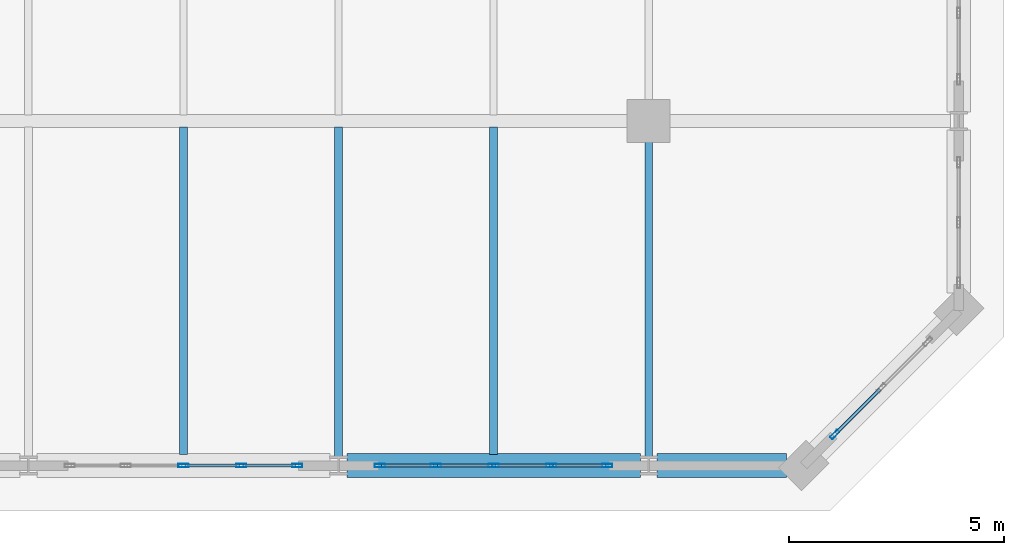
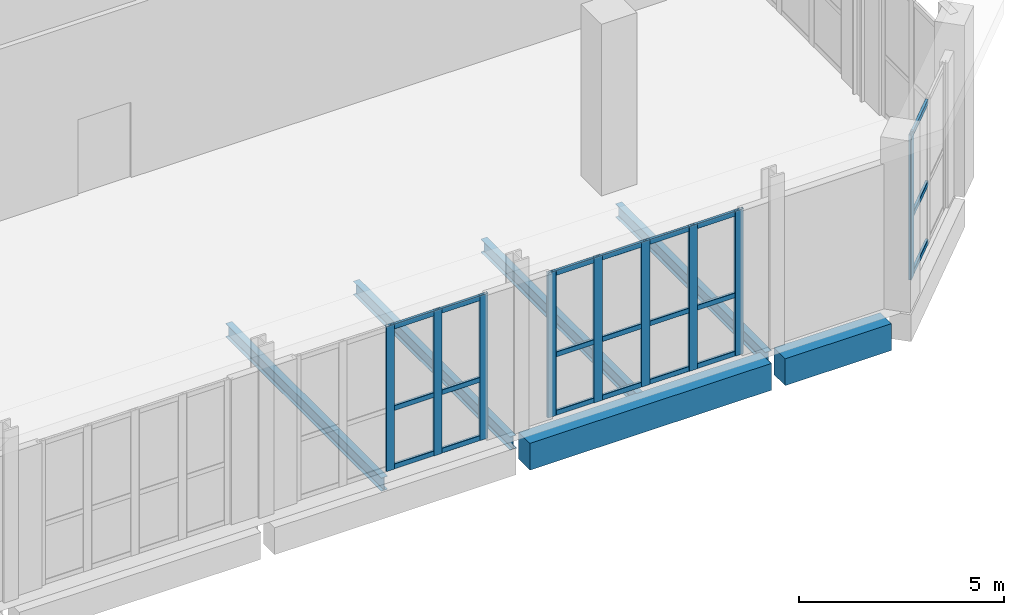
# One storey, part 10 of 26: 30 members, 6 beams, 3 elements without a shape of their own.
"""IFC4 building model written with IfcOpenShell, lengths in metres."""

from ifc_helpers import new_model, si_unit, direction, frame, origin, origin_2d, place, context, subcontext, project, spatial, rectangle, hollow_rectangle, i_section, extrude, material, layer, layer_set, material_profile, profile_set, type_object, element, aggregate, save


model = new_model("IFC4")

# Units and contexts
model_context = context("Model", 3, precision=1e-05, world=origin(), true_north=direction((0.0, 1.0)))
body_context = subcontext(model_context, "Body", "Model", "MODEL_VIEW")
ifc_project = project(units=[si_unit("LENGTHUNIT", "METRE"), si_unit("AREAUNIT", "SQUARE_METRE"), si_unit("VOLUMEUNIT", "CUBIC_METRE"), si_unit("PLANEANGLEUNIT", "RADIAN"), si_unit("MASSUNIT", "GRAM", prefix="KILO")], contexts=[model_context])

# Site, building, storey
site_placement = place(None, origin())
site = spatial("IfcSite", under=ifc_project, at=site_placement, CompositionType="ELEMENT")
building_placement = place(site_placement, origin())
building = spatial("IfcBuilding", under=site, at=building_placement, Name="Kaelvorn Grand Hotel", CompositionType="ELEMENT")
storey_placement = place(building_placement, frame((0.0, 0.0, 300.199951171875)))
storey = spatial("IfcBuildingStorey", under=building, at=storey_placement, Name="L73", CompositionType="ELEMENT", Elevation=300.199951171875)

# Beams
ifc_material_1 = material(Name="Steel S355", Category="steel")
ifc_material_profile_1 = material_profile(ifc_material_1, i_section(OverallWidth=0.179931640625, OverallDepth=0.39990234375, WebThickness=0.008544921875, FlangeThickness=0.013427734375, FilletRadius=0.02099609375, at=origin_2d()), Name="IPE 400")
ifc_profile_set_1 = profile_set([ifc_material_profile_1], Name="Steel S355")
beam_type_1 = type_object("IfcBeamType", Name="BM-J-IPE400-S355", PredefinedType="JOIST", material=ifc_profile_set_1)
beam_1_placement = place(storey_placement, frame((57.0, 7.260009765625, -0.579833984375), z_axis=(0.0, 1.0, 0.0), x_axis=(-1.0, 0.0, 0.0)))
element("IfcBeam", 1, at=beam_1_placement, inside=storey, type_object=beam_type_1, Name="L73 Composite Floor Joist JS-16", PredefinedType="JOIST", context=body_context, shape_type="SweptSolid", body=[
    extrude(i_section(OverallWidth=0.179931640625, OverallDepth=0.39990234375, WebThickness=0.008544921875, FlangeThickness=0.013427734375, FilletRadius=0.02099609375, at=origin_2d()), origin(), (0.0, 0.0, 1.0), 7.60400390625),
])
beam_2_placement = place(storey_placement, frame((60.60009765625, 7.205078125, -0.579833984375), z_axis=(0.0, 1.0, 0.0), x_axis=(-1.0, 0.0, 0.0)))
element("IfcBeam", 2, at=beam_2_placement, inside=storey, type_object=beam_type_1, Name="L73 Composite Floor Joist JS-17", PredefinedType="JOIST", context=body_context, shape_type="SweptSolid", body=[
    extrude(i_section(OverallWidth=0.179931640625, OverallDepth=0.39990234375, WebThickness=0.008544921875, FlangeThickness=0.013427734375, FilletRadius=0.02099609375, at=origin_2d()), origin(), (0.0, 0.0, 1.0), 7.658935546875),
])
beam_3_placement = place(storey_placement, frame((64.199951171875, 7.260009765625, -0.579833984375), z_axis=(0.0, 1.0, 0.0), x_axis=(-1.0, 0.0, 0.0)))
element("IfcBeam", 3, at=beam_3_placement, inside=storey, type_object=beam_type_1, Name="L73 Composite Floor Joist JS-18", PredefinedType="JOIST", context=body_context, shape_type="SweptSolid", body=[
    extrude(i_section(OverallWidth=0.179931640625, OverallDepth=0.39990234375, WebThickness=0.008544921875, FlangeThickness=0.013427734375, FilletRadius=0.02099609375, at=origin_2d()), origin(), (0.0, 0.0, 1.0), 7.60400390625),
])
beam_4_placement = place(storey_placement, frame((67.800048828125, 7.205078125, -0.579833984375), z_axis=(0.0, 1.0, 0.0), x_axis=(-1.0, 0.0, 0.0)))
element("IfcBeam", 4, at=beam_4_placement, inside=storey, type_object=beam_type_1, Name="L73 Composite Floor Joist JS-19", PredefinedType="JOIST", context=body_context, shape_type="SweptSolid", body=[
    extrude(i_section(OverallWidth=0.179931640625, OverallDepth=0.39990234375, WebThickness=0.008544921875, FlangeThickness=0.013427734375, FilletRadius=0.02099609375, at=origin_2d()), origin(), (0.0, 0.0, 1.0), 7.309814453125),
])
ifc_material_2 = material(Name="Concrete C50/60", Category="concrete")
ifc_material_profile_2 = material_profile(ifc_material_2, rectangle(XDim=0.550048828125, YDim=0.800048828125, at=origin_2d()), Name="RC SPANDREL 550x800")
ifc_profile_set_2 = profile_set([ifc_material_profile_2], Name="Concrete C50/60")
beam_type_2 = type_object("IfcBeamType", Name="BM-SP-550x800-C50", PredefinedType="SPANDREL", material=ifc_profile_set_2)
beam_5_placement = place(storey_placement, frame((60.794921875, 7.0, -0.780029296875), z_axis=(1.0, 0.0, 0.0), x_axis=(0.0, 1.0, 0.0)))
element("IfcBeam", 5, at=beam_5_placement, inside=storey, type_object=beam_type_2, Name="L73 South Perimeter Spandrel 08", PredefinedType="SPANDREL", context=body_context, shape_type="SweptSolid", body=[
    extrude(rectangle(XDim=0.550048828125, YDim=0.800048828125, at=origin_2d()), origin(), (0.0, 0.0, 1.0), 6.81005859375),
])
beam_6_placement = place(storey_placement, frame((67.9951171875, 7.0, -0.780029296875), z_axis=(1.0, 0.0, 0.0), x_axis=(0.0, 1.0, 0.0)))
element("IfcBeam", 6, at=beam_6_placement, inside=storey, type_object=beam_type_2, Name="L73 South Perimeter Spandrel 09", PredefinedType="SPANDREL", context=body_context, shape_type="SweptSolid", body=[
    extrude(rectangle(XDim=0.550048828125, YDim=0.800048828125, at=origin_2d()), origin(), (0.0, 0.0, 1.0), 3.0),
])

# Curtain wall, members
ifc_material_3 = material(Name="Anodised Aluminium", Category="aluminium")
ifc_layer = layer(ifc_material_3, 0.239990234375)
ifc_layer_set = layer_set([ifc_layer], Name="Anodised Aluminium")
curtain_wall_type = type_object("IfcCurtainWallType", Name="CW-SYS5", PredefinedType="NOTDEFINED", material=ifc_layer_set)
curtain_wall_1_placement = place(storey_placement, origin())
curtain_wall_1 = element("IfcCurtainWall", 7, at=curtain_wall_1_placement, inside=storey, type_object=curtain_wall_type, Name="L73 Unitised Curtain Wall CW5 (CW-L73-S-06)", PredefinedType="NOTDEFINED")
ifc_material_profile_3 = material_profile(ifc_material_3, hollow_rectangle(XDim=0.080078125, YDim=0.239990234375, WallThickness=0.0048828125, InnerFilletRadius=0.0048828125, OuterFilletRadius=0.010009765625, at=origin_2d()), Name="ALU MULL 80x240")
ifc_profile_set_3 = profile_set([ifc_material_profile_3], Name="Anodised Aluminium")
member_type_1 = type_object("IfcMemberType", Name="CW-SYS5-MULL", PredefinedType="MULLION", material=ifc_profile_set_3)
member_1_placement = place(storey_placement, frame((57.0, 7.0, 0.0), z_axis=(0.0, 0.0, 1.0), x_axis=(0.0, 1.0, 0.0)))
member_1 = element("IfcMember", 8, at=member_1_placement, type_object=member_type_1, Name="CW5 mullion 3", PredefinedType="MULLION", context=body_context, shape_type="SweptSolid", body=[
    extrude(hollow_rectangle(XDim=0.080078125, YDim=0.239990234375, WallThickness=0.0048828125, InnerFilletRadius=0.0048828125, OuterFilletRadius=0.010009765625, at=origin_2d()), origin(), (0.0, 0.0, 1.0), 4.320068359375),
])
member_2_placement = place(storey_placement, frame((58.340087890625, 7.0, 0.0), z_axis=(0.0, 0.0, 1.0), x_axis=(0.0, 1.0, 0.0)))
member_2 = element("IfcMember", 9, at=member_2_placement, type_object=member_type_1, Name="CW5 mullion 4", PredefinedType="MULLION", context=body_context, shape_type="SweptSolid", body=[
    extrude(hollow_rectangle(XDim=0.080078125, YDim=0.239990234375, WallThickness=0.0048828125, InnerFilletRadius=0.0048828125, OuterFilletRadius=0.010009765625, at=origin_2d()), origin(), (0.0, 0.0, 1.0), 4.320068359375),
])
member_3_placement = place(storey_placement, frame((59.639892578125, 7.0, 0.0), z_axis=(0.0, 0.0, 1.0), x_axis=(0.0, 1.0, 0.0)))
member_3 = element("IfcMember", 10, at=member_3_placement, type_object=member_type_1, Name="CW5 mullion 5", PredefinedType="MULLION", context=body_context, shape_type="SweptSolid", body=[
    extrude(hollow_rectangle(XDim=0.080078125, YDim=0.239990234375, WallThickness=0.0048828125, InnerFilletRadius=0.0048828125, OuterFilletRadius=0.010009765625, at=origin_2d()), origin(), (0.0, 0.0, 1.0), 4.320068359375),
])

curtain_wall_2_placement = place(storey_placement, origin())
curtain_wall_2 = element("IfcCurtainWall", 11, at=curtain_wall_2_placement, inside=storey, type_object=curtain_wall_type, Name="L73 Unitised Curtain Wall CW5 (CW-L73-S-07)", PredefinedType="NOTDEFINED")
member_4_placement = place(storey_placement, frame((61.56005859375, 7.0, 0.0), z_axis=(0.0, 0.0, 1.0), x_axis=(0.0, 1.0, 0.0)))
member_4 = element("IfcMember", 12, at=member_4_placement, type_object=member_type_1, Name="CW5 mullion 1", PredefinedType="MULLION", context=body_context, shape_type="SweptSolid", body=[
    extrude(hollow_rectangle(XDim=0.080078125, YDim=0.239990234375, WallThickness=0.0048828125, InnerFilletRadius=0.0048828125, OuterFilletRadius=0.010009765625, at=origin_2d()), origin(), (0.0, 0.0, 1.0), 4.320068359375),
])
member_5_placement = place(storey_placement, frame((62.860107421875, 7.0, 0.0), z_axis=(0.0, 0.0, 1.0), x_axis=(0.0, 1.0, 0.0)))
member_5 = element("IfcMember", 13, at=member_5_placement, type_object=member_type_1, Name="CW5 mullion 2", PredefinedType="MULLION", context=body_context, shape_type="SweptSolid", body=[
    extrude(hollow_rectangle(XDim=0.080078125, YDim=0.239990234375, WallThickness=0.0048828125, InnerFilletRadius=0.0048828125, OuterFilletRadius=0.010009765625, at=origin_2d()), origin(), (0.0, 0.0, 1.0), 4.320068359375),
])
member_6_placement = place(storey_placement, frame((64.199951171875, 7.0, 0.0), z_axis=(0.0, 0.0, 1.0), x_axis=(0.0, 1.0, 0.0)))
member_6 = element("IfcMember", 14, at=member_6_placement, type_object=member_type_1, Name="CW5 mullion 3", PredefinedType="MULLION", context=body_context, shape_type="SweptSolid", body=[
    extrude(hollow_rectangle(XDim=0.080078125, YDim=0.239990234375, WallThickness=0.0048828125, InnerFilletRadius=0.0048828125, OuterFilletRadius=0.010009765625, at=origin_2d()), origin(), (0.0, 0.0, 1.0), 4.320068359375),
])
member_7_placement = place(storey_placement, frame((65.5400390625, 7.0, 0.0), z_axis=(0.0, 0.0, 1.0), x_axis=(0.0, 1.0, 0.0)))
member_7 = element("IfcMember", 15, at=member_7_placement, type_object=member_type_1, Name="CW5 mullion 4", PredefinedType="MULLION", context=body_context, shape_type="SweptSolid", body=[
    extrude(hollow_rectangle(XDim=0.080078125, YDim=0.239990234375, WallThickness=0.0048828125, InnerFilletRadius=0.0048828125, OuterFilletRadius=0.010009765625, at=origin_2d()), origin(), (0.0, 0.0, 1.0), 4.320068359375),
])
member_8_placement = place(storey_placement, frame((66.840087890625, 7.0, 0.0), z_axis=(0.0, 0.0, 1.0), x_axis=(0.0, 1.0, 0.0)))
member_8 = element("IfcMember", 16, at=member_8_placement, type_object=member_type_1, Name="CW5 mullion 5", PredefinedType="MULLION", context=body_context, shape_type="SweptSolid", body=[
    extrude(hollow_rectangle(XDim=0.080078125, YDim=0.239990234375, WallThickness=0.0048828125, InnerFilletRadius=0.0048828125, OuterFilletRadius=0.010009765625, at=origin_2d()), origin(), (0.0, 0.0, 1.0), 4.320068359375),
])

# Curtain wall, member
curtain_wall_3_placement = place(storey_placement, origin())
curtain_wall_3 = element("IfcCurtainWall", 17, at=curtain_wall_3_placement, inside=storey, type_object=curtain_wall_type, Name="L73 Unitised Curtain Wall CW5 (CW-L73-SE)", PredefinedType="NOTDEFINED")
member_9_placement = place(storey_placement, frame((72.121337890625, 7.72119140625, 0.0), z_axis=(0.0, 0.0, 1.0), x_axis=(-0.707106781187, 0.707106781187, 0.0)))
member_9 = element("IfcMember", 18, at=member_9_placement, type_object=member_type_1, Name="CW5 mullion 1", PredefinedType="MULLION", context=body_context, shape_type="SweptSolid", body=[
    extrude(hollow_rectangle(XDim=0.080078125, YDim=0.239990234375, WallThickness=0.0048828125, InnerFilletRadius=0.0048828125, OuterFilletRadius=0.010009765625, at=origin_2d()), origin(), (0.0, 0.0, 1.0), 4.320068359375),
])

# Member
ifc_material_profile_4 = material_profile(ifc_material_3, hollow_rectangle(XDim=0.074951171875, YDim=0.14990234375, WallThickness=0.00390625, InnerFilletRadius=0.00390625, OuterFilletRadius=0.008056640625, at=origin_2d()), Name="ALU TRAN 75x150")
ifc_profile_set_4 = profile_set([ifc_material_profile_4], Name="Anodised Aluminium")
member_type_2 = type_object("IfcMemberType", Name="CW-SYS5-TRAN", PredefinedType="NOTDEFINED", material=ifc_profile_set_4)
member_10_placement = place(storey_placement, frame((57.0400390625, 7.0, 0.074951171875), z_axis=(1.0, 0.0, 0.0), x_axis=(0.0, 1.0, 0.0)))
member_10 = element("IfcMember", 19, at=member_10_placement, type_object=member_type_2, Name="CW5 transom 3.1", ObjectType="TRANSOM", PredefinedType="USERDEFINED", context=body_context, shape_type="SweptSolid", body=[
    extrude(hollow_rectangle(XDim=0.074951171875, YDim=0.14990234375, WallThickness=0.00390625, InnerFilletRadius=0.00390625, OuterFilletRadius=0.008056640625, at=origin_2d()), origin(), (0.0, 0.0, 1.0), 1.260009765625),
])

member_11_placement = place(storey_placement, frame((57.0400390625, 7.0, 1.814453125), z_axis=(1.0, 0.0, 0.0), x_axis=(0.0, 1.0, 0.0)))
member_11 = element("IfcMember", 20, at=member_11_placement, type_object=member_type_2, Name="CW5 transom 3.2", ObjectType="TRANSOM", PredefinedType="USERDEFINED", context=body_context, shape_type="SweptSolid", body=[
    extrude(hollow_rectangle(XDim=0.074951171875, YDim=0.14990234375, WallThickness=0.00390625, InnerFilletRadius=0.00390625, OuterFilletRadius=0.008056640625, at=origin_2d()), origin(), (0.0, 0.0, 1.0), 1.260009765625),
])

member_12_placement = place(storey_placement, frame((57.0400390625, 7.0, 4.2451171875), z_axis=(1.0, 0.0, 0.0), x_axis=(0.0, 1.0, 0.0)))
member_12 = element("IfcMember", 21, at=member_12_placement, type_object=member_type_2, Name="CW5 transom 3.3", ObjectType="TRANSOM", PredefinedType="USERDEFINED", context=body_context, shape_type="SweptSolid", body=[
    extrude(hollow_rectangle(XDim=0.074951171875, YDim=0.14990234375, WallThickness=0.00390625, InnerFilletRadius=0.00390625, OuterFilletRadius=0.008056640625, at=origin_2d()), origin(), (0.0, 0.0, 1.0), 1.260009765625),
])

member_13_placement = place(storey_placement, frame((58.3798828125, 7.0, 0.074951171875), z_axis=(1.0, 0.0, 0.0), x_axis=(0.0, 1.0, 0.0)))
member_13 = element("IfcMember", 22, at=member_13_placement, type_object=member_type_2, Name="CW5 transom 4.1", ObjectType="TRANSOM", PredefinedType="USERDEFINED", context=body_context, shape_type="SweptSolid", body=[
    extrude(hollow_rectangle(XDim=0.074951171875, YDim=0.14990234375, WallThickness=0.00390625, InnerFilletRadius=0.00390625, OuterFilletRadius=0.008056640625, at=origin_2d()), origin(), (0.0, 0.0, 1.0), 1.22021484375),
])

member_14_placement = place(storey_placement, frame((58.3798828125, 7.0, 1.814453125), z_axis=(1.0, 0.0, 0.0), x_axis=(0.0, 1.0, 0.0)))
member_14 = element("IfcMember", 23, at=member_14_placement, type_object=member_type_2, Name="CW5 transom 4.2", ObjectType="TRANSOM", PredefinedType="USERDEFINED", context=body_context, shape_type="SweptSolid", body=[
    extrude(hollow_rectangle(XDim=0.074951171875, YDim=0.14990234375, WallThickness=0.00390625, InnerFilletRadius=0.00390625, OuterFilletRadius=0.008056640625, at=origin_2d()), origin(), (0.0, 0.0, 1.0), 1.22021484375),
])

member_15_placement = place(storey_placement, frame((58.3798828125, 7.0, 4.2451171875), z_axis=(1.0, 0.0, 0.0), x_axis=(0.0, 1.0, 0.0)))
member_15 = element("IfcMember", 24, at=member_15_placement, type_object=member_type_2, Name="CW5 transom 4.3", ObjectType="TRANSOM", PredefinedType="USERDEFINED", context=body_context, shape_type="SweptSolid", body=[
    extrude(hollow_rectangle(XDim=0.074951171875, YDim=0.14990234375, WallThickness=0.00390625, InnerFilletRadius=0.00390625, OuterFilletRadius=0.008056640625, at=origin_2d()), origin(), (0.0, 0.0, 1.0), 1.22021484375),
])

aggregate(curtain_wall_1, [member_1, member_2, member_3, member_10, member_11, member_12, member_13, member_14, member_15])

member_16_placement = place(storey_placement, frame((61.60009765625, 7.0, 0.074951171875), z_axis=(1.0, 0.0, 0.0), x_axis=(0.0, 1.0, 0.0)))
member_16 = element("IfcMember", 25, at=member_16_placement, type_object=member_type_2, Name="CW5 transom 1.1", ObjectType="TRANSOM", PredefinedType="USERDEFINED", context=body_context, shape_type="SweptSolid", body=[
    extrude(hollow_rectangle(XDim=0.074951171875, YDim=0.14990234375, WallThickness=0.00390625, InnerFilletRadius=0.00390625, OuterFilletRadius=0.008056640625, at=origin_2d()), origin(), (0.0, 0.0, 1.0), 1.219970703125),
])

member_17_placement = place(storey_placement, frame((61.60009765625, 7.0, 1.814453125), z_axis=(1.0, 0.0, 0.0), x_axis=(0.0, 1.0, 0.0)))
member_17 = element("IfcMember", 26, at=member_17_placement, type_object=member_type_2, Name="CW5 transom 1.2", ObjectType="TRANSOM", PredefinedType="USERDEFINED", context=body_context, shape_type="SweptSolid", body=[
    extrude(hollow_rectangle(XDim=0.074951171875, YDim=0.14990234375, WallThickness=0.00390625, InnerFilletRadius=0.00390625, OuterFilletRadius=0.008056640625, at=origin_2d()), origin(), (0.0, 0.0, 1.0), 1.219970703125),
])

member_18_placement = place(storey_placement, frame((61.60009765625, 7.0, 4.2451171875), z_axis=(1.0, 0.0, 0.0), x_axis=(0.0, 1.0, 0.0)))
member_18 = element("IfcMember", 27, at=member_18_placement, type_object=member_type_2, Name="CW5 transom 1.3", ObjectType="TRANSOM", PredefinedType="USERDEFINED", context=body_context, shape_type="SweptSolid", body=[
    extrude(hollow_rectangle(XDim=0.074951171875, YDim=0.14990234375, WallThickness=0.00390625, InnerFilletRadius=0.00390625, OuterFilletRadius=0.008056640625, at=origin_2d()), origin(), (0.0, 0.0, 1.0), 1.219970703125),
])

member_19_placement = place(storey_placement, frame((62.89990234375, 7.0, 0.074951171875), z_axis=(1.0, 0.0, 0.0), x_axis=(0.0, 1.0, 0.0)))
member_19 = element("IfcMember", 28, at=member_19_placement, type_object=member_type_2, Name="CW5 transom 2.1", ObjectType="TRANSOM", PredefinedType="USERDEFINED", context=body_context, shape_type="SweptSolid", body=[
    extrude(hollow_rectangle(XDim=0.074951171875, YDim=0.14990234375, WallThickness=0.00390625, InnerFilletRadius=0.00390625, OuterFilletRadius=0.008056640625, at=origin_2d()), origin(), (0.0, 0.0, 1.0), 1.260009765625),
])

member_20_placement = place(storey_placement, frame((62.89990234375, 7.0, 1.814453125), z_axis=(1.0, 0.0, 0.0), x_axis=(0.0, 1.0, 0.0)))
member_20 = element("IfcMember", 29, at=member_20_placement, type_object=member_type_2, Name="CW5 transom 2.2", ObjectType="TRANSOM", PredefinedType="USERDEFINED", context=body_context, shape_type="SweptSolid", body=[
    extrude(hollow_rectangle(XDim=0.074951171875, YDim=0.14990234375, WallThickness=0.00390625, InnerFilletRadius=0.00390625, OuterFilletRadius=0.008056640625, at=origin_2d()), origin(), (0.0, 0.0, 1.0), 1.260009765625),
])

member_21_placement = place(storey_placement, frame((62.89990234375, 7.0, 4.2451171875), z_axis=(1.0, 0.0, 0.0), x_axis=(0.0, 1.0, 0.0)))
member_21 = element("IfcMember", 30, at=member_21_placement, type_object=member_type_2, Name="CW5 transom 2.3", ObjectType="TRANSOM", PredefinedType="USERDEFINED", context=body_context, shape_type="SweptSolid", body=[
    extrude(hollow_rectangle(XDim=0.074951171875, YDim=0.14990234375, WallThickness=0.00390625, InnerFilletRadius=0.00390625, OuterFilletRadius=0.008056640625, at=origin_2d()), origin(), (0.0, 0.0, 1.0), 1.260009765625),
])

member_22_placement = place(storey_placement, frame((64.239990234375, 7.0, 0.074951171875), z_axis=(1.0, 0.0, 0.0), x_axis=(0.0, 1.0, 0.0)))
member_22 = element("IfcMember", 31, at=member_22_placement, type_object=member_type_2, Name="CW5 transom 3.1", ObjectType="TRANSOM", PredefinedType="USERDEFINED", context=body_context, shape_type="SweptSolid", body=[
    extrude(hollow_rectangle(XDim=0.074951171875, YDim=0.14990234375, WallThickness=0.00390625, InnerFilletRadius=0.00390625, OuterFilletRadius=0.008056640625, at=origin_2d()), origin(), (0.0, 0.0, 1.0), 1.260009765625),
])

member_23_placement = place(storey_placement, frame((64.239990234375, 7.0, 1.814453125), z_axis=(1.0, 0.0, 0.0), x_axis=(0.0, 1.0, 0.0)))
member_23 = element("IfcMember", 32, at=member_23_placement, type_object=member_type_2, Name="CW5 transom 3.2", ObjectType="TRANSOM", PredefinedType="USERDEFINED", context=body_context, shape_type="SweptSolid", body=[
    extrude(hollow_rectangle(XDim=0.074951171875, YDim=0.14990234375, WallThickness=0.00390625, InnerFilletRadius=0.00390625, OuterFilletRadius=0.008056640625, at=origin_2d()), origin(), (0.0, 0.0, 1.0), 1.260009765625),
])

member_24_placement = place(storey_placement, frame((64.239990234375, 7.0, 4.2451171875), z_axis=(1.0, 0.0, 0.0), x_axis=(0.0, 1.0, 0.0)))
member_24 = element("IfcMember", 33, at=member_24_placement, type_object=member_type_2, Name="CW5 transom 3.3", ObjectType="TRANSOM", PredefinedType="USERDEFINED", context=body_context, shape_type="SweptSolid", body=[
    extrude(hollow_rectangle(XDim=0.074951171875, YDim=0.14990234375, WallThickness=0.00390625, InnerFilletRadius=0.00390625, OuterFilletRadius=0.008056640625, at=origin_2d()), origin(), (0.0, 0.0, 1.0), 1.260009765625),
])

member_25_placement = place(storey_placement, frame((65.580078125, 7.0, 0.074951171875), z_axis=(1.0, 0.0, 0.0), x_axis=(0.0, 1.0, 0.0)))
member_25 = element("IfcMember", 34, at=member_25_placement, type_object=member_type_2, Name="CW5 transom 4.1", ObjectType="TRANSOM", PredefinedType="USERDEFINED", context=body_context, shape_type="SweptSolid", body=[
    extrude(hollow_rectangle(XDim=0.074951171875, YDim=0.14990234375, WallThickness=0.00390625, InnerFilletRadius=0.00390625, OuterFilletRadius=0.008056640625, at=origin_2d()), origin(), (0.0, 0.0, 1.0), 1.219970703125),
])

member_26_placement = place(storey_placement, frame((65.580078125, 7.0, 1.814453125), z_axis=(1.0, 0.0, 0.0), x_axis=(0.0, 1.0, 0.0)))
member_26 = element("IfcMember", 35, at=member_26_placement, type_object=member_type_2, Name="CW5 transom 4.2", ObjectType="TRANSOM", PredefinedType="USERDEFINED", context=body_context, shape_type="SweptSolid", body=[
    extrude(hollow_rectangle(XDim=0.074951171875, YDim=0.14990234375, WallThickness=0.00390625, InnerFilletRadius=0.00390625, OuterFilletRadius=0.008056640625, at=origin_2d()), origin(), (0.0, 0.0, 1.0), 1.219970703125),
])

member_27_placement = place(storey_placement, frame((65.580078125, 7.0, 4.2451171875), z_axis=(1.0, 0.0, 0.0), x_axis=(0.0, 1.0, 0.0)))
member_27 = element("IfcMember", 36, at=member_27_placement, type_object=member_type_2, Name="CW5 transom 4.3", ObjectType="TRANSOM", PredefinedType="USERDEFINED", context=body_context, shape_type="SweptSolid", body=[
    extrude(hollow_rectangle(XDim=0.074951171875, YDim=0.14990234375, WallThickness=0.00390625, InnerFilletRadius=0.00390625, OuterFilletRadius=0.008056640625, at=origin_2d()), origin(), (0.0, 0.0, 1.0), 1.219970703125),
])

aggregate(curtain_wall_2, [member_4, member_5, member_6, member_7, member_8, member_16, member_17, member_18, member_19, member_20, member_21, member_22, member_23, member_24, member_25, member_26, member_27])

member_28_placement = place(storey_placement, frame((72.1494140625, 7.74951171875, 0.074951171875), z_axis=(0.707106781187, 0.707106781187, 0.0), x_axis=(-0.707106781187, 0.707106781187, 0.0)))
member_28 = element("IfcMember", 37, at=member_28_placement, type_object=member_type_2, Name="CW5 transom 1.1", ObjectType="TRANSOM", PredefinedType="USERDEFINED", context=body_context, shape_type="SweptSolid", body=[
    extrude(hollow_rectangle(XDim=0.074951171875, YDim=0.14990234375, WallThickness=0.00390625, InnerFilletRadius=0.00390625, OuterFilletRadius=0.008056640625, at=origin_2d()), origin(), (0.0, 0.0, 1.0), 1.445556640625),
])

member_29_placement = place(storey_placement, frame((72.1494140625, 7.74951171875, 1.814453125), z_axis=(0.707106781187, 0.707106781187, 0.0), x_axis=(-0.707106781187, 0.707106781187, 0.0)))
member_29 = element("IfcMember", 38, at=member_29_placement, type_object=member_type_2, Name="CW5 transom 1.2", ObjectType="TRANSOM", PredefinedType="USERDEFINED", context=body_context, shape_type="SweptSolid", body=[
    extrude(hollow_rectangle(XDim=0.074951171875, YDim=0.14990234375, WallThickness=0.00390625, InnerFilletRadius=0.00390625, OuterFilletRadius=0.008056640625, at=origin_2d()), origin(), (0.0, 0.0, 1.0), 1.445556640625),
])

member_30_placement = place(storey_placement, frame((72.1494140625, 7.74951171875, 4.2451171875), z_axis=(0.707106781187, 0.707106781187, 0.0), x_axis=(-0.707106781187, 0.707106781187, 0.0)))
member_30 = element("IfcMember", 39, at=member_30_placement, type_object=member_type_2, Name="CW5 transom 1.3", ObjectType="TRANSOM", PredefinedType="USERDEFINED", context=body_context, shape_type="SweptSolid", body=[
    extrude(hollow_rectangle(XDim=0.074951171875, YDim=0.14990234375, WallThickness=0.00390625, InnerFilletRadius=0.00390625, OuterFilletRadius=0.008056640625, at=origin_2d()), origin(), (0.0, 0.0, 1.0), 1.445556640625),
])

aggregate(curtain_wall_3, [member_9, member_28, member_29, member_30])

save(model, "model.ifc")
